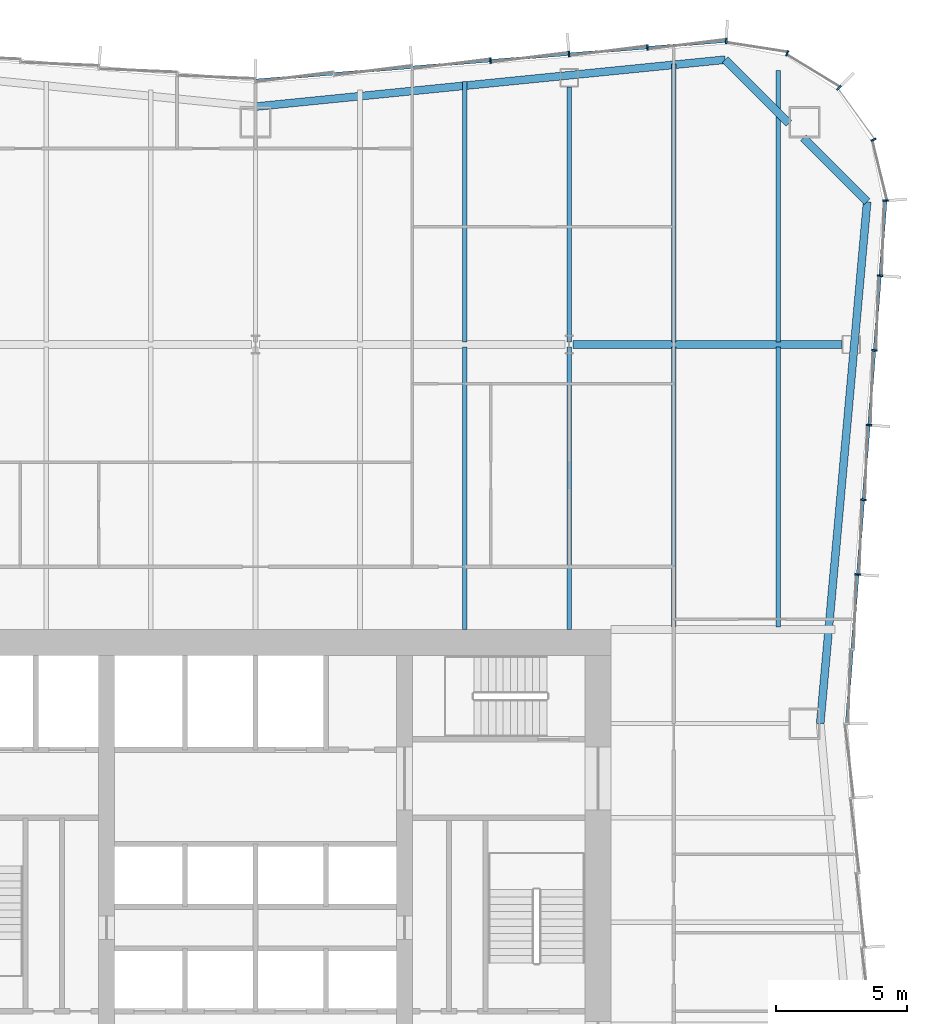
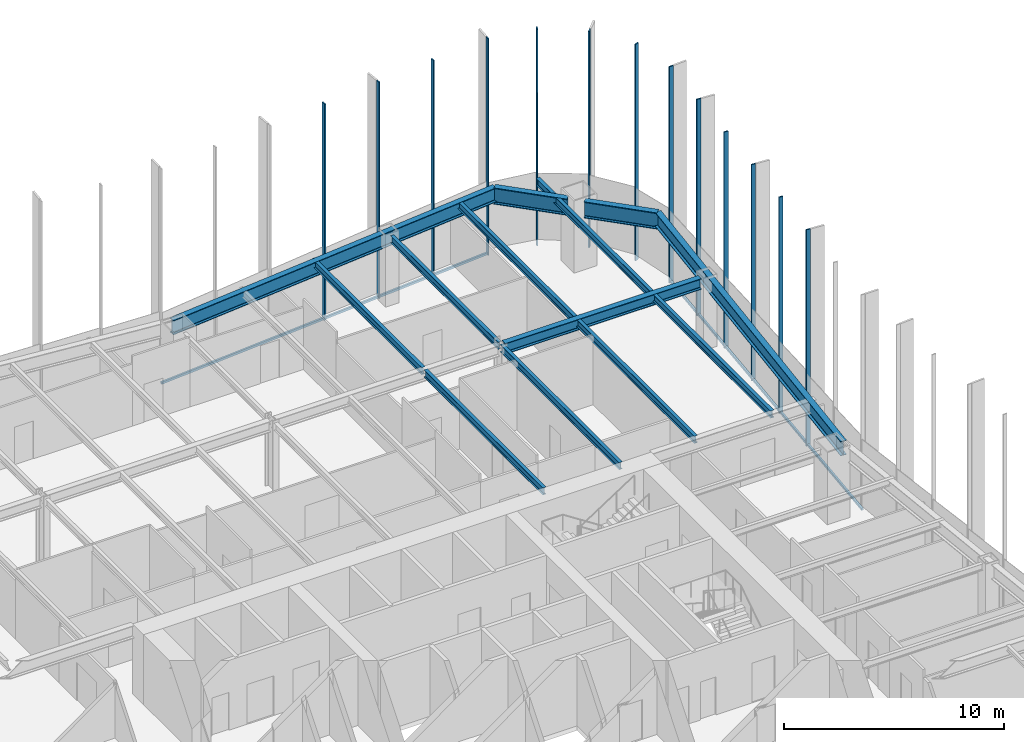
# One storey, part 7 of 14: 15 members, 13 beams, 3 elements without a shape of their own.
"""IFC4 building model written with IfcOpenShell, lengths in metres."""

import ifcopenshell
import ifcopenshell.guid

model = None  # the IFC model being written
_history = None  # IfcOwnerHistory: only IFC2X3 demands one
_inside = {}  # id of a spatial element -> (the spatial element, [elements in it])
_under = {}  # id of a project, library or spatial element -> (it, [spatial elements below it])
_declared = {}  # id of a project -> (the project, [libraries it declares])
_typed = {}  # id of a type object -> (the type object, [elements of that type])
_made_of = {}  # id of a material, layer set ... -> (it, [elements and type objects made of it])


def new_model(schema):
    """Start an empty IFC model of exactly this schema.

    Asked for "IFC4X3", IfcOpenShell would pick the latest addendum, in which some entities
    have other attributes; the version numbers below select the first issue.
    IFC2X3 requires an IfcOwnerHistory on every rooted entity: one is made here for all.
    """
    global model, _history
    if schema == "IFC4X3":
        model = ifcopenshell.file(schema_version=(4, 3, 0, 0))
    else:
        model = ifcopenshell.file(schema=schema)
    _inside.clear()
    _under.clear()
    _declared.clear()
    _typed.clear()
    _made_of.clear()
    _history = None
    if model.schema == "IFC2X3":
        org = make("IfcOrganization", Name="unknown")
        user = make(
            "IfcPersonAndOrganization",
            ThePerson=make("IfcPerson", FamilyName="unknown"),
            TheOrganization=org,
        )
        app = make(
            "IfcApplication",
            ApplicationDeveloper=org,
            Version="unknown",
            ApplicationFullName="unknown",
            ApplicationIdentifier="unknown",
        )
        _history = make(
            "IfcOwnerHistory",
            OwningUser=user,
            OwningApplication=app,
            ChangeAction="ADDED",
            CreationDate=0,
        )
    return model


def make(cls, **values):
    """One entity of the class cls with the attributes given. An attribute that is None is left unset."""
    return model.create_entity(
        cls, **{name: value for name, value in values.items() if value is not None}
    )


def rooted(cls, **values):
    """An entity with a GlobalId (a new one), such as an element, a storey or a relation."""
    return make(cls, GlobalId=ifcopenshell.guid.new(), OwnerHistory=_history, **values)


def si_unit(unit_type, name, prefix=None):
    """IfcSIUnit, for example si_unit("LENGTHUNIT", "METRE", prefix="MILLI")."""
    return make("IfcSIUnit", UnitType=unit_type, Prefix=prefix, Name=name)


def assignment(units):
    """IfcUnitAssignment: the units of a project."""
    return None if units is None else make("IfcUnitAssignment", Units=units)


def point(xyz):
    """IfcCartesianPoint."""
    return None if xyz is None else make("IfcCartesianPoint", Coordinates=xyz)


def direction(xyz):
    """IfcDirection."""
    return None if xyz is None else make("IfcDirection", DirectionRatios=xyz)


def frame(location, z_axis=None, x_axis=None):
    """IfcAxis2Placement3D, a coordinate frame: its origin and axes. An axis left out is left unset."""
    return make(
        "IfcAxis2Placement3D",
        Location=point(location),
        Axis=direction(z_axis),
        RefDirection=direction(x_axis),
    )


def frame_2d(location, x_axis=None):
    """IfcAxis2Placement2D, a coordinate frame in the plane: its origin and x axis."""
    return make(
        "IfcAxis2Placement2D", Location=point(location), RefDirection=direction(x_axis)
    )


def origin():
    """The frame at (0, 0, 0) with its axes left unset."""
    return frame((0.0, 0.0, 0.0))


def origin_2d():
    """The frame at (0, 0) in the plane with its x axis left unset."""
    return frame_2d((0.0, 0.0))


def place(relative_to, where):
    """IfcLocalPlacement: puts the frame where relative to a parent placement (None: the world)."""
    return make(
        "IfcLocalPlacement", PlacementRelTo=relative_to, RelativePlacement=where
    )


def context(
    kind, dimensions, precision=None, world=None, true_north=None, identifier=None
):
    """IfcGeometricRepresentationContext, for example the 3D "Model" context."""
    return make(
        "IfcGeometricRepresentationContext",
        ContextIdentifier=identifier,
        ContextType=kind,
        CoordinateSpaceDimension=dimensions,
        Precision=precision,
        WorldCoordinateSystem=world,
        TrueNorth=true_north,
    )


def subcontext(parent, identifier, kind, view, scale=None):
    """IfcGeometricRepresentationSubContext, for example "Body" below "Model"."""
    return make(
        "IfcGeometricRepresentationSubContext",
        ContextIdentifier=identifier,
        ContextType=kind,
        ParentContext=parent,
        TargetScale=scale,
        TargetView=view,
    )


def project(units=None, contexts=None):
    """IfcProject with its units and contexts."""
    return rooted(
        "IfcProject",
        Name="project",
        RepresentationContexts=contexts,
        UnitsInContext=assignment(units),
    )


def spatial(cls, under=None, at=None, **own):
    """A site, building, storey or space (cls), placed at a placement, below another one or the project."""
    s = rooted(cls, ObjectPlacement=at, **own)
    if under is not None:
        _under.setdefault(under.id(), (under, []))[1].append(s)
    return s


def profile(cls, at=None, kind="AREA", **sizes):
    """A parametric profile (cls). Its sizes go by their IFC names, for example OverallWidth=200.0."""
    return make(cls, ProfileType=kind, Position=at, **sizes)


def rectangle(**sizes):
    """IfcRectangleProfileDef."""
    return profile("IfcRectangleProfileDef", **sizes)


def i_section(**sizes):
    """IfcIShapeProfileDef."""
    return profile("IfcIShapeProfileDef", **sizes)


def extrude(swept, where, along, depth):
    """IfcExtrudedAreaSolid: the profile swept, set in the frame where, extruded along a direction by depth."""
    return make(
        "IfcExtrudedAreaSolid",
        SweptArea=swept,
        Position=where,
        ExtrudedDirection=direction(along),
        Depth=depth,
    )


def shape(context_of_items, identifier, shape_type, items):
    """IfcShapeRepresentation: the items that make up one representation, for example the "Body"."""
    return make(
        "IfcShapeRepresentation",
        ContextOfItems=context_of_items,
        RepresentationIdentifier=identifier,
        RepresentationType=shape_type,
        Items=items,
    )


def material(Name=None, Category=None):
    """IfcMaterial."""
    return make("IfcMaterial", Name=Name, Category=Category)


def material_profile(
    of_material, cross_section, Name=None, Category=None, Priority=None
):
    """IfcMaterialProfile: a cross section and its material."""
    return make(
        "IfcMaterialProfile",
        Name=Name,
        Material=of_material,
        Profile=cross_section,
        Priority=Priority,
        Category=Category,
    )


def profile_set(profiles, Name=None, composite=None):
    """IfcMaterialProfileSet."""
    return make(
        "IfcMaterialProfileSet",
        Name=Name,
        MaterialProfiles=profiles,
        CompositeProfile=composite,
    )


def made_of(thing, what):
    """Note that an element or type object is made of a material, layer set ...; save() writes the relation."""
    if what is not None:
        _made_of.setdefault(what.id(), (what, []))[1].append(thing)
    return thing


def type_object(cls, material=None, **own):
    """A type object (cls), such as IfcWallType, which elements share."""
    return made_of(rooted(cls, **own), material)


def element(
    cls,
    number,
    at=None,
    inside=None,
    cuts=None,
    type_object=None,
    material=None,
    context=None,
    identifier="Body",
    shape_type=None,
    held_by="IfcProductDefinitionShape",
    body=None,
    shapes=None,
    **own,
):
    """One element of the class cls, such as IfcWall. Its Tag is "e" and its number.

    at: its placement. inside: the storey or other place that contains it. cuts: it is an
    opening in that element (IfcRelVoidsElement). A single representation is given by context,
    identifier, shape_type and body (its items); several are given by shapes. held_by: the class
    of the entity that holds the representations. save() writes the other relations.
    """
    e = rooted(cls, Tag="e%d" % number, ObjectPlacement=at, **own)
    if body is not None:
        shapes = [shape(context, identifier, shape_type, body)]
    if shapes is not None:
        e.Representation = make(held_by, Representations=shapes)
    if inside is not None:
        _inside.setdefault(inside.id(), (inside, []))[1].append(e)
    if cuts is not None:
        rooted(
            "IfcRelVoidsElement", RelatingBuildingElement=cuts, RelatedOpeningElement=e
        )
    if type_object is not None:
        _typed.setdefault(type_object.id(), (type_object, []))[1].append(e)
    return made_of(e, material)


def aggregate(whole, parts):
    """IfcRelAggregates: a whole, such as a stair, and the parts it consists of."""
    return rooted("IfcRelAggregates", RelatingObject=whole, RelatedObjects=parts)


def save(model, path):
    """Write the relations noted so far, then the file.

    IfcRelAggregates (storeys below a building ...), IfcRelContainedInSpatialStructure (elements
    in a storey), IfcRelDefinesByType, IfcRelAssociatesMaterial and IfcRelDeclares: one each for
    every whole, place, type object, material and project.
    """
    for whole, parts in _under.values():
        aggregate(whole, parts)
    for where, things in _inside.values():
        rooted(
            "IfcRelContainedInSpatialStructure",
            RelatedElements=things,
            RelatingStructure=where,
        )
    for kind, things in _typed.values():
        rooted("IfcRelDefinesByType", RelatedObjects=things, RelatingType=kind)
    for what, things in _made_of.values():
        rooted("IfcRelAssociatesMaterial", RelatedObjects=things, RelatingMaterial=what)
    for by, libraries in _declared.values():
        rooted("IfcRelDeclares", RelatingContext=by, RelatedDefinitions=libraries)
    model.write(path)


model = new_model("IFC4")

# Units and contexts
model_context = context("Model", 3, precision=1e-05, world=origin(), true_north=direction((0.0, 1.0)))
body_context = subcontext(model_context, "Body", "Model", "MODEL_VIEW")
ifc_project = project(units=[si_unit("LENGTHUNIT", "METRE"), si_unit("AREAUNIT", "SQUARE_METRE"), si_unit("VOLUMEUNIT", "CUBIC_METRE"), si_unit("PLANEANGLEUNIT", "RADIAN"), si_unit("MASSUNIT", "GRAM", prefix="KILO")], contexts=[model_context])

# Site, building, storey
site_placement = place(None, origin())
site = spatial("IfcSite", under=ifc_project, at=site_placement, CompositionType="ELEMENT")
building_placement = place(site_placement, origin())
building = spatial("IfcBuilding", under=site, at=building_placement, Name="Verdant Reach Tower", CompositionType="ELEMENT")
storey_placement = place(building_placement, frame((0.0, 0.0, 150.0)))
storey = spatial("IfcBuildingStorey", under=building, at=storey_placement, Name="L34", CompositionType="ELEMENT", Elevation=150.0)

# Curtain wall, members
ifc_material_1 = material(Name="Anodised aluminium", Category="aluminium")
curtain_wall_type = type_object("IfcCurtainWallType", Name="EN-CW SYSTEM Z2", PredefinedType="NOTDEFINED", material=ifc_material_1)
curtain_wall_1_placement = place(storey_placement, origin())
curtain_wall_1 = element("IfcCurtainWall", 1, at=curtain_wall_1_placement, inside=storey, type_object=curtain_wall_type, Name="Curtain wall east, L34", PredefinedType="NOTDEFINED")
ifc_material_profile_1 = material_profile(ifc_material_1, rectangle(XDim=0.2119140625, YDim=0.06396484375, at=origin_2d()), Name="Mullion 64x212")
ifc_profile_set_1 = profile_set([ifc_material_profile_1], Name="Anodised aluminium")
member_type_1 = type_object("IfcMemberType", Name="EN-MULLION Z2", PredefinedType="MULLION", material=ifc_profile_set_1)
member_1_placement = place(storey_placement, frame((23.0341796875, 40.706298828125, -0.35009765625), z_axis=(0.0, 0.0, 1.0), x_axis=(0.997199309888, -0.074789948245, 0.0)))
member_1 = element("IfcMember", 2, at=member_1_placement, type_object=member_type_1, Name="Mullion east face part 2 3, L34", PredefinedType="MULLION", context=body_context, shape_type="SweptSolid", body=[
    extrude(rectangle(XDim=0.2119140625, YDim=0.06396484375, at=origin_2d()), origin(), (0.0, 0.0, 1.0), 12.0),
])
member_2_placement = place(storey_placement, frame((23.24853515625, 43.5634765625, -0.35009765625), z_axis=(0.0, 0.0, 1.0), x_axis=(0.997199309888, -0.074789948245, 0.0)))
member_2 = element("IfcMember", 3, at=member_2_placement, type_object=member_type_1, Name="Mullion east face part 2 4, L34", PredefinedType="MULLION", context=body_context, shape_type="SweptSolid", body=[
    extrude(rectangle(XDim=0.2119140625, YDim=0.06396484375, at=origin_2d()), origin(), (0.0, 0.0, 1.0), 12.0),
])
member_3_placement = place(storey_placement, frame((23.462890625, 46.420654296875, -0.35009765625), z_axis=(0.0, 0.0, 1.0), x_axis=(0.997199309888, -0.074789948245, 0.0)))
member_3 = element("IfcMember", 4, at=member_3_placement, type_object=member_type_1, Name="Mullion east face part 2 5, L34", PredefinedType="MULLION", context=body_context, shape_type="SweptSolid", body=[
    extrude(rectangle(XDim=0.2119140625, YDim=0.06396484375, at=origin_2d()), origin(), (0.0, 0.0, 1.0), 12.0),
])
member_4_placement = place(storey_placement, frame((23.67724609375, 49.27783203125, -0.35009765625), z_axis=(0.0, 0.0, 1.0), x_axis=(0.997199309888, -0.074789948245, 0.0)))
member_4 = element("IfcMember", 5, at=member_4_placement, type_object=member_type_1, Name="Mullion east face part 2 6, L34", PredefinedType="MULLION", context=body_context, shape_type="SweptSolid", body=[
    extrude(rectangle(XDim=0.2119140625, YDim=0.06396484375, at=origin_2d()), origin(), (0.0, 0.0, 1.0), 12.0),
])
member_5_placement = place(storey_placement, frame((23.891357421875, 52.135009765625, -0.35009765625), z_axis=(0.0, 0.0, 1.0), x_axis=(0.997199309888, -0.074789948245, 0.0)))
member_5 = element("IfcMember", 6, at=member_5_placement, type_object=member_type_1, Name="Mullion east face part 2 7, L34", PredefinedType="MULLION", context=body_context, shape_type="SweptSolid", body=[
    extrude(rectangle(XDim=0.2119140625, YDim=0.06396484375, at=origin_2d()), origin(), (0.0, 0.0, 1.0), 12.0),
])

curtain_wall_2_placement = place(storey_placement, origin())
curtain_wall_2 = element("IfcCurtainWall", 7, at=curtain_wall_2_placement, inside=storey, type_object=curtain_wall_type, Name="Curtain wall north-east corner, L34", PredefinedType="NOTDEFINED")
member_6_placement = place(storey_placement, frame((24.105712890625, 55.00634765625, -0.35009765625), z_axis=(0.0, 0.0, 1.0), x_axis=(0.998155887542, 0.060702752526, 0.0)))
member_6 = element("IfcMember", 8, at=member_6_placement, type_object=member_type_1, Name="Mullion north-east corner 1, L34", PredefinedType="MULLION", context=body_context, shape_type="SweptSolid", body=[
    extrude(rectangle(XDim=0.2119140625, YDim=0.06396484375, at=origin_2d()), origin(), (0.0, 0.0, 1.0), 12.0),
])
member_7_placement = place(storey_placement, frame((23.64111328125, 57.336669921875, -0.35009765625), z_axis=(0.0, 0.0, 1.0), x_axis=(0.923875215753, 0.382693853776, 0.0)))
member_7 = element("IfcMember", 9, at=member_7_placement, type_object=member_type_1, Name="Mullion north-east corner 2, L34", PredefinedType="MULLION", context=body_context, shape_type="SweptSolid", body=[
    extrude(rectangle(XDim=0.2119140625, YDim=0.06396484375, at=origin_2d()), origin(), (0.0, 0.0, 1.0), 12.0),
])
member_8_placement = place(storey_placement, frame((22.317626953125, 59.317626953125, -0.35009765625), z_axis=(0.0, 0.0, 1.0), x_axis=(0.707106781187, 0.707106781187, 0.0)))
member_8 = element("IfcMember", 10, at=member_8_placement, type_object=member_type_1, Name="Mullion north-east corner 3, L34", PredefinedType="MULLION", context=body_context, shape_type="SweptSolid", body=[
    extrude(rectangle(XDim=0.2119140625, YDim=0.06396484375, at=origin_2d()), origin(), (0.0, 0.0, 1.0), 12.0),
])
member_9_placement = place(storey_placement, frame((20.336669921875, 60.64111328125, -0.35009765625), z_axis=(0.0, 0.0, 1.0), x_axis=(0.382693853776, 0.923875215753, 0.0)))
member_9 = element("IfcMember", 11, at=member_9_placement, type_object=member_type_1, Name="Mullion north-east corner 4, L34", PredefinedType="MULLION", context=body_context, shape_type="SweptSolid", body=[
    extrude(rectangle(XDim=0.2119140625, YDim=0.06396484375, at=origin_2d()), origin(), (0.0, 0.0, 1.0), 12.0),
])
aggregate(curtain_wall_2, [member_6, member_7, member_8, member_9])

curtain_wall_3_placement = place(storey_placement, origin())
curtain_wall_3 = element("IfcCurtainWall", 12, at=curtain_wall_3_placement, inside=storey, type_object=curtain_wall_type, Name="Curtain wall north, L34", PredefinedType="NOTDEFINED")
member_10_placement = place(storey_placement, frame((18.006103515625, 61.105712890625, -0.35009765625), z_axis=(0.0, 0.0, 1.0), x_axis=(0.056569187765, 0.998398681387, 0.0)))
member_10 = element("IfcMember", 13, at=member_10_placement, type_object=member_type_1, Name="Mullion north face part 1 1, L34", PredefinedType="MULLION", context=body_context, shape_type="SweptSolid", body=[
    extrude(rectangle(XDim=0.2119140625, YDim=0.06396484375, at=origin_2d()), origin(), (0.0, 0.0, 1.0), 12.0),
])
member_11_placement = place(storey_placement, frame((14.9912109375, 60.855712890625, -0.35009765625), z_axis=(0.0, 0.0, 1.0), x_axis=(-0.083045479859, 0.996545758244, 0.0)))
member_11 = element("IfcMember", 14, at=member_11_placement, type_object=member_type_1, Name="Mullion north face part 1 2, L34", PredefinedType="MULLION", context=body_context, shape_type="SweptSolid", body=[
    extrude(rectangle(XDim=0.2119140625, YDim=0.06396484375, at=origin_2d()), origin(), (0.0, 0.0, 1.0), 12.0),
])
member_12_placement = place(storey_placement, frame((11.9912109375, 60.605712890625, -0.35009765625), z_axis=(0.0, 0.0, 1.0), x_axis=(-0.083045479859, 0.996545758244, 0.0)))
member_12 = element("IfcMember", 15, at=member_12_placement, type_object=member_type_1, Name="Mullion north face part 1 3, L34", PredefinedType="MULLION", context=body_context, shape_type="SweptSolid", body=[
    extrude(rectangle(XDim=0.2119140625, YDim=0.06396484375, at=origin_2d()), origin(), (0.0, 0.0, 1.0), 12.0),
])
member_13_placement = place(storey_placement, frame((8.9912109375, 60.355712890625, -0.35009765625), z_axis=(0.0, 0.0, 1.0), x_axis=(-0.083045479859, 0.996545758244, 0.0)))
member_13 = element("IfcMember", 16, at=member_13_placement, type_object=member_type_1, Name="Mullion north face part 1 4, L34", PredefinedType="MULLION", context=body_context, shape_type="SweptSolid", body=[
    extrude(rectangle(XDim=0.2119140625, YDim=0.06396484375, at=origin_2d()), origin(), (0.0, 0.0, 1.0), 12.0),
])

# Member
ifc_material_profile_2 = material_profile(ifc_material_1, rectangle(XDim=0.10009765625, YDim=0.1240234375, at=origin_2d()), Name="Transom 124x100")
ifc_profile_set_2 = profile_set([ifc_material_profile_2], Name="Anodised aluminium")
member_type_2 = type_object("IfcMemberType", Name="EN-TRANSOM Z2", PredefinedType="USERDEFINED", material=ifc_profile_set_2)
member_14_placement = place(storey_placement, frame((22.6083984375, 35.031982421875, -0.2880859375), z_axis=(0.07476111665, 0.997201471839, 0.0), x_axis=(-0.997201471839, 0.07476111665, 0.0)))
member_14 = element("IfcMember", 17, at=member_14_placement, type_object=member_type_2, Name="Transom east face part 2 1.1, L34", ObjectType="TRANSOM", PredefinedType="USERDEFINED", context=body_context, shape_type="SweptSolid", body=[
    extrude(rectangle(XDim=0.10009765625, YDim=0.1240234375, at=origin_2d()), origin(), (0.0, 0.0, 1.0), 19.99853515625),
])

aggregate(curtain_wall_1, [member_1, member_2, member_3, member_4, member_5, member_14])

member_15_placement = place(storey_placement, frame((17.97412109375, 61.103271484375, -0.2880859375), z_axis=(-0.996548282776, -0.083015179915, 0.0), x_axis=(0.083015179915, -0.996548282776, 0.0)))
member_15 = element("IfcMember", 18, at=member_15_placement, type_object=member_type_2, Name="Transom north face part 1 1.1, L34", ObjectType="TRANSOM", PredefinedType="USERDEFINED", context=body_context, shape_type="SweptSolid", body=[
    extrude(rectangle(XDim=0.10009765625, YDim=0.1240234375, at=origin_2d()), origin(), (0.0, 0.0, 1.0), 18.00439453125),
])

aggregate(curtain_wall_3, [member_10, member_11, member_12, member_13, member_15])

# Beams
ifc_material_2 = material(Name="Steel S355", Category="steel")
ifc_material_profile_3 = material_profile(ifc_material_2, i_section(OverallWidth=0.300048828125, OverallDepth=0.60009765625, WebThickness=0.015380859375, FlangeThickness=0.030029296875, FilletRadius=0.027099609375, at=origin_2d()), Name="HEB 600")
ifc_profile_set_3 = profile_set([ifc_material_profile_3], Name="Steel S355")
beam_type_1 = type_object("IfcBeamType", Name="ST-BEAM-HEB600", PredefinedType="BEAM", material=ifc_profile_set_3)
beam_1_placement = place(storey_placement, frame((12.154052734375, 49.5, 3.570068359375), z_axis=(1.0, 0.0, 0.0), x_axis=(0.0, 1.0, 0.0)))
element("IfcBeam", 19, at=beam_1_placement, inside=storey, type_object=beam_type_1, Name="Row girder, L34", PredefinedType="BEAM", context=body_context, shape_type="SweptSolid", body=[
    extrude(i_section(OverallWidth=0.300048828125, OverallDepth=0.60009765625, WebThickness=0.015380859375, FlangeThickness=0.030029296875, FilletRadius=0.027099609375, at=origin_2d()), origin(), (0.0, 0.0, 1.0), 10.283447265625),
])
ifc_material_profile_4 = material_profile(ifc_material_2, i_section(OverallWidth=0.179931640625, OverallDepth=0.39990234375, WebThickness=0.008544921875, FlangeThickness=0.013427734375, FilletRadius=0.02099609375, at=origin_2d()), Name="IPE 400")
ifc_profile_set_4 = profile_set([ifc_material_profile_4], Name="Steel S355")
beam_type_2 = type_object("IfcBeamType", Name="ST-JOIST-IPE400", PredefinedType="JOIST", material=ifc_profile_set_4)
beam_2_placement = place(storey_placement, frame((8.0, 38.60009765625, 3.669921875), z_axis=(0.0, 1.0, 0.0), x_axis=(-1.0, 0.0, 0.0)))
element("IfcBeam", 20, at=beam_2_placement, inside=storey, type_object=beam_type_2, Name="Floor joist, L34", PredefinedType="JOIST", context=body_context, shape_type="SweptSolid", body=[
    extrude(i_section(OverallWidth=0.179931640625, OverallDepth=0.39990234375, WebThickness=0.008544921875, FlangeThickness=0.013427734375, FilletRadius=0.02099609375, at=origin_2d()), origin(), (0.0, 0.0, 1.0), 10.7998046875),
])
beam_3_placement = place(storey_placement, frame((8.0, 49.60009765625, 3.669921875), z_axis=(0.0, 1.0, 0.0), x_axis=(-1.0, 0.0, 0.0)))
element("IfcBeam", 21, at=beam_3_placement, inside=storey, type_object=beam_type_2, Name="Floor joist, L34", PredefinedType="JOIST", context=body_context, shape_type="SweptSolid", body=[
    extrude(i_section(OverallWidth=0.179931640625, OverallDepth=0.39990234375, WebThickness=0.008544921875, FlangeThickness=0.013427734375, FilletRadius=0.02099609375, at=origin_2d()), origin(), (0.0, 0.0, 1.0), 9.964599609375),
])
beam_4_placement = place(storey_placement, frame((12.0, 38.60009765625, 3.669921875), z_axis=(0.0, 1.0, 0.0), x_axis=(-1.0, 0.0, 0.0)))
element("IfcBeam", 22, at=beam_4_placement, inside=storey, type_object=beam_type_2, Name="Floor joist, L34", PredefinedType="JOIST", context=body_context, shape_type="SweptSolid", body=[
    extrude(i_section(OverallWidth=0.179931640625, OverallDepth=0.39990234375, WebThickness=0.008544921875, FlangeThickness=0.013427734375, FilletRadius=0.02099609375, at=origin_2d()), origin(), (0.0, 0.0, 1.0), 10.7998046875),
])
beam_5_placement = place(storey_placement, frame((12.0, 49.60009765625, 3.669921875), z_axis=(0.0, 1.0, 0.0), x_axis=(-1.0, 0.0, 0.0)))
element("IfcBeam", 23, at=beam_5_placement, inside=storey, type_object=beam_type_2, Name="Floor joist, L34", PredefinedType="JOIST", context=body_context, shape_type="SweptSolid", body=[
    extrude(i_section(OverallWidth=0.179931640625, OverallDepth=0.39990234375, WebThickness=0.008544921875, FlangeThickness=0.013427734375, FilletRadius=0.02099609375, at=origin_2d()), origin(), (0.0, 0.0, 1.0), 9.75),
])
beam_6_placement = place(storey_placement, frame((16.0, 38.699951171875, 3.669921875), z_axis=(0.0, 1.0, 0.0), x_axis=(-1.0, 0.0, 0.0)))
element("IfcBeam", 24, at=beam_6_placement, inside=storey, type_object=beam_type_2, Name="Floor joist, L34", PredefinedType="JOIST", context=body_context, shape_type="SweptSolid", body=[
    extrude(i_section(OverallWidth=0.179931640625, OverallDepth=0.39990234375, WebThickness=0.008544921875, FlangeThickness=0.013427734375, FilletRadius=0.02099609375, at=origin_2d()), origin(), (0.0, 0.0, 1.0), 10.699951171875),
])
beam_7_placement = place(storey_placement, frame((16.0, 49.60009765625, 3.669921875), z_axis=(0.0, 1.0, 0.0), x_axis=(-1.0, 0.0, 0.0)))
element("IfcBeam", 25, at=beam_7_placement, inside=storey, type_object=beam_type_2, Name="Floor joist, L34", PredefinedType="JOIST", context=body_context, shape_type="SweptSolid", body=[
    extrude(i_section(OverallWidth=0.179931640625, OverallDepth=0.39990234375, WebThickness=0.008544921875, FlangeThickness=0.013427734375, FilletRadius=0.02099609375, at=origin_2d()), origin(), (0.0, 0.0, 1.0), 10.631103515625),
])
beam_8_placement = place(storey_placement, frame((20.0, 38.699951171875, 3.669921875), z_axis=(0.0, 1.0, 0.0), x_axis=(-1.0, 0.0, 0.0)))
element("IfcBeam", 26, at=beam_8_placement, inside=storey, type_object=beam_type_2, Name="Floor joist, L34", PredefinedType="JOIST", context=body_context, shape_type="SweptSolid", body=[
    extrude(i_section(OverallWidth=0.179931640625, OverallDepth=0.39990234375, WebThickness=0.008544921875, FlangeThickness=0.013427734375, FilletRadius=0.02099609375, at=origin_2d()), origin(), (0.0, 0.0, 1.0), 10.699951171875),
])
beam_9_placement = place(storey_placement, frame((20.0, 49.60009765625, 3.669921875), z_axis=(0.0, 1.0, 0.0), x_axis=(-1.0, 0.0, 0.0)))
element("IfcBeam", 27, at=beam_9_placement, inside=storey, type_object=beam_type_2, Name="Floor joist, L34", PredefinedType="JOIST", context=body_context, shape_type="SweptSolid", body=[
    extrude(i_section(OverallWidth=0.179931640625, OverallDepth=0.39990234375, WebThickness=0.008544921875, FlangeThickness=0.013427734375, FilletRadius=0.02099609375, at=origin_2d()), origin(), (0.0, 0.0, 1.0), 10.390380859375),
])
ifc_material_profile_5 = material_profile(ifc_material_2, i_section(OverallWidth=0.300048828125, OverallDepth=0.800048828125, WebThickness=0.017578125, FlangeThickness=0.032958984375, FilletRadius=0.030029296875, at=origin_2d()), Name="HEB 800")
ifc_profile_set_5 = profile_set([ifc_material_profile_5], Name="Steel S355")
beam_type_3 = type_object("IfcBeamType", Name="ST-SPANDREL-HEB800", PredefinedType="SPANDREL", material=ifc_profile_set_5)
beam_10_placement = place(storey_placement, frame((0.0, 58.60009765625, 3.469970703125), z_axis=(0.995046289869, 0.099412680371, 0.0), x_axis=(-0.099412680371, 0.995046289869, 0.0)))
element("IfcBeam", 28, at=beam_10_placement, inside=storey, type_object=beam_type_3, Name="Edge beam, L34", PredefinedType="SPANDREL", context=body_context, shape_type="SweptSolid", body=[
    extrude(i_section(OverallWidth=0.300048828125, OverallDepth=0.800048828125, WebThickness=0.017578125, FlangeThickness=0.032958984375, FilletRadius=0.030029296875, at=origin_2d()), origin(), (0.0, 0.0, 1.0), 18.05517578125),
])
beam_11_placement = place(storey_placement, frame((23.3955078125, 54.963134765625, 3.469970703125), z_axis=(-0.089574749266, -0.995980102358, 0.0), x_axis=(0.995980102358, -0.089574749266, 0.0)))
element("IfcBeam", 29, at=beam_11_placement, inside=storey, type_object=beam_type_3, Name="Edge beam, L34", PredefinedType="SPANDREL", context=body_context, shape_type="SweptSolid", body=[
    extrude(i_section(OverallWidth=0.300048828125, OverallDepth=0.800048828125, WebThickness=0.017578125, FlangeThickness=0.032958984375, FilletRadius=0.030029296875, at=origin_2d()), origin(), (0.0, 0.0, 1.0), 20.043701171875),
])
ifc_material_profile_6 = material_profile(ifc_material_2, i_section(OverallWidth=0.302001953125, OverallDepth=0.909912109375, WebThickness=0.02099609375, FlangeThickness=0.0400390625, FilletRadius=0.030029296875, at=origin_2d()), Name="HEM 900")
ifc_profile_set_6 = profile_set([ifc_material_profile_6], Name="Steel S355")
beam_type_4 = type_object("IfcBeamType", Name="ST-SPANDREL-HEM900", PredefinedType="SPANDREL", material=ifc_profile_set_6)
beam_12_placement = place(storey_placement, frame((17.9658203125, 60.39501953125, 3.4150390625), z_axis=(0.70696494852, -0.70724858541, 0.0), x_axis=(0.70724858541, 0.70696494852, 0.0)))
element("IfcBeam", 30, at=beam_12_placement, inside=storey, type_object=beam_type_4, Name="Edge beam, L34", PredefinedType="SPANDREL", context=body_context, shape_type="SweptSolid", body=[
    extrude(i_section(OverallWidth=0.302001953125, OverallDepth=0.909912109375, WebThickness=0.02099609375, FlangeThickness=0.0400390625, FilletRadius=0.030029296875, at=origin_2d()), origin(), (0.0, 0.0, 1.0), 3.443115234375),
])
beam_13_placement = place(storey_placement, frame((20.959716796875, 57.39990234375, 3.4150390625), z_axis=(0.706965048022, -0.707248485948, 0.0), x_axis=(0.707248485948, 0.706965048022, 0.0)))
element("IfcBeam", 31, at=beam_13_placement, inside=storey, type_object=beam_type_4, Name="Edge beam, L34", PredefinedType="SPANDREL", context=body_context, shape_type="SweptSolid", body=[
    extrude(i_section(OverallWidth=0.302001953125, OverallDepth=0.909912109375, WebThickness=0.02099609375, FlangeThickness=0.0400390625, FilletRadius=0.030029296875, at=origin_2d()), origin(), (0.0, 0.0, 1.0), 3.4453125),
])

save(model, "model.ifc")
